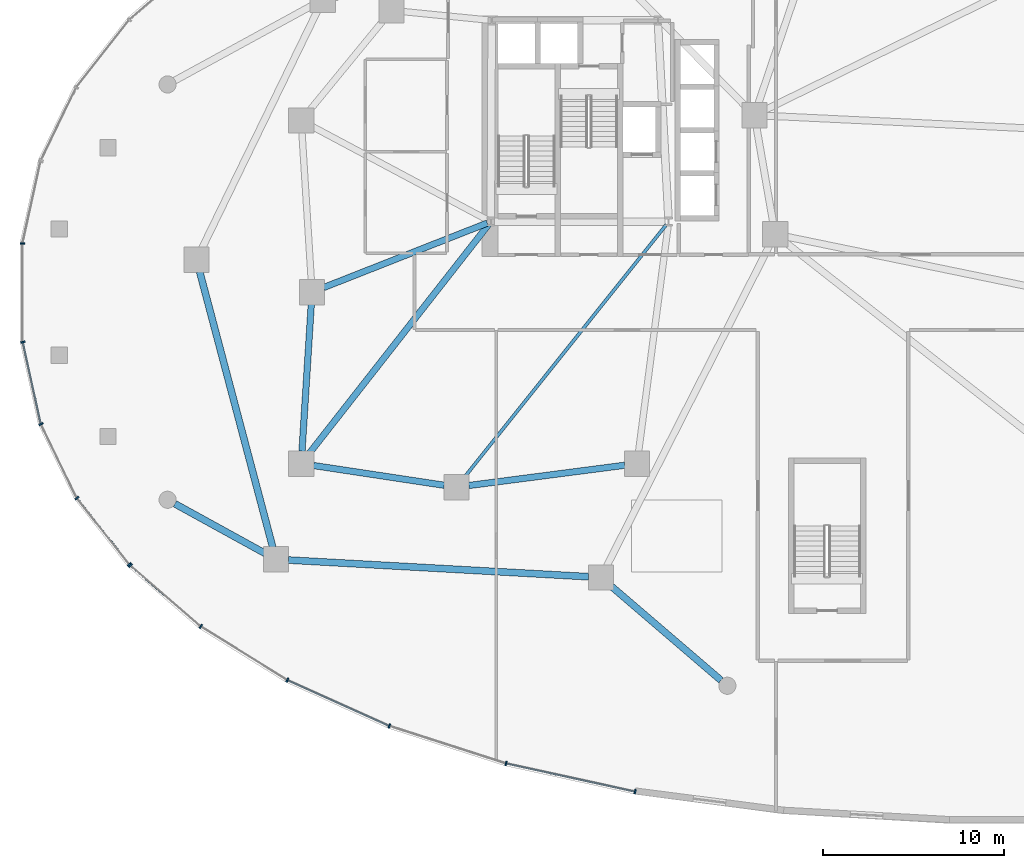
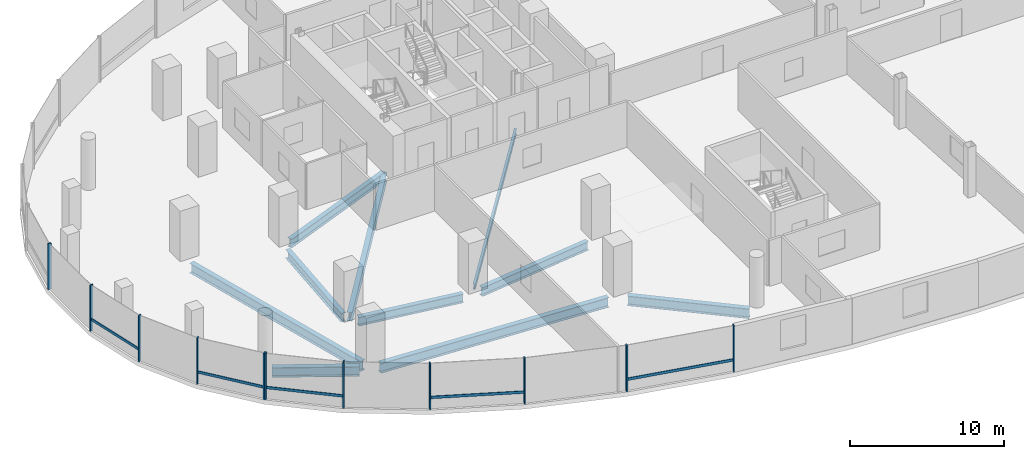
# One storey, part 3 of 19: 16 members, 10 beams, 2 elements without a shape of their own.
"""IFC4 building model written with IfcOpenShell, lengths in metres."""

from ifc_helpers import new_model, si_unit, direction, frame, origin, origin_2d, place, context, subcontext, project, spatial, rectangle, i_section, extrude, material, material_profile, profile_set, type_object, element, aggregate, save


model = new_model("IFC4")

# Units and contexts
model_context = context("Model", 3, precision=1e-05, world=origin(), true_north=direction((0.0, 1.0)))
body_context = subcontext(model_context, "Body", "Model", "MODEL_VIEW")
ifc_project = project(units=[si_unit("LENGTHUNIT", "METRE"), si_unit("AREAUNIT", "SQUARE_METRE"), si_unit("VOLUMEUNIT", "CUBIC_METRE"), si_unit("PLANEANGLEUNIT", "RADIAN"), si_unit("MASSUNIT", "GRAM", prefix="KILO"), si_unit("THERMODYNAMICTEMPERATUREUNIT", "KELVIN"), si_unit("POWERUNIT", "WATT")], contexts=[model_context])

# Site, building, storey
site_placement = place(None, origin())
site = spatial("IfcSite", under=ifc_project, at=site_placement, CompositionType="ELEMENT")
building_placement = place(site_placement, origin())
building = spatial("IfcBuilding", under=site, at=building_placement, Name="Cundina Bronze Exchange", CompositionType="ELEMENT")
storey_placement = place(building_placement, frame((0.0, 0.0, 16.0)))
storey = spatial("IfcBuildingStorey", under=building, at=storey_placement, Name="L03", CompositionType="ELEMENT", Elevation=16.0)

# Beams
ifc_material_1 = material(Name="Steel ASTM A992 Grade 50", Category="steel")
ifc_material_profile_1 = material_profile(ifc_material_1, i_section(OverallWidth=0.178955078125, OverallDepth=0.409912109375, WebThickness=0.0087890625, FlangeThickness=0.014404296875, FilletRadius=0.010986328125, at=origin_2d()), Name="W16X45", Category="steel")
ifc_profile_set_1 = profile_set([ifc_material_profile_1], Name="Steel ASTM A992 Grade 50")
beam_type_1 = type_object("IfcBeamType", Name="BM-JST-W16", PredefinedType="JOIST", material=ifc_profile_set_1)
beam_1_placement = place(storey_placement, frame((-21.577392578125, 3.740478515625, -0.554931640625), z_axis=(-0.624374458297, -0.781125172957, 0.0), x_axis=(0.781125172957, -0.624374458297, 0.0)))
element("IfcBeam", 1, at=beam_1_placement, inside=storey, type_object=beam_type_1, Name="L03 W Interior Core-to-Ring Joist 2", PredefinedType="JOIST", context=body_context, shape_type="SweptSolid", body=[
    extrude(i_section(OverallWidth=0.178955078125, OverallDepth=0.409912109375, WebThickness=0.0087890625, FlangeThickness=0.014404296875, FilletRadius=0.010986328125, at=origin_2d()), origin(), (0.0, 0.0, 1.0), 17.927001953125),
])
ifc_material_profile_2 = material_profile(ifc_material_1, i_section(OverallWidth=0.35498046875, OverallDepth=0.695068359375, WebThickness=0.015380859375, FlangeThickness=0.02490234375, FilletRadius=0.01806640625, at=origin_2d()), Name="W27X146", Category="steel")
ifc_profile_set_2 = profile_set([ifc_material_profile_2], Name="Steel ASTM A992 Grade 50")
beam_type_2 = type_object("IfcBeamType", Name="BM-RING-W27", PredefinedType="USERDEFINED", material=ifc_profile_set_2)
beam_2_placement = place(storey_placement, frame((-41.243408203125, -0.6865234375, -0.697509765625), z_axis=(-0.063020359641, -0.998012241544, 0.0), x_axis=(0.998012241544, -0.063020359641, 0.0)))
element("IfcBeam", 2, at=beam_2_placement, inside=storey, type_object=beam_type_2, Name="L03 W Inner Structural Ring Girder 04", ObjectType="GIRDER", PredefinedType="USERDEFINED", context=body_context, shape_type="SweptSolid", body=[
    extrude(i_section(OverallWidth=0.35498046875, OverallDepth=0.695068359375, WebThickness=0.015380859375, FlangeThickness=0.02490234375, FilletRadius=0.01806640625, at=origin_2d()), origin(), (0.0, 0.0, 1.0), 8.14306640625),
])
beam_3_placement = place(storey_placement, frame((-41.11962890625, -9.602783203125, -0.697509765625), z_axis=(0.988763496177, -0.149488289268, 0.0), x_axis=(0.149488289268, 0.988763496177, 0.0)))
element("IfcBeam", 3, at=beam_3_placement, inside=storey, type_object=beam_type_2, Name="L03 W Inner Structural Ring Girder 05", ObjectType="GIRDER", PredefinedType="USERDEFINED", context=body_context, shape_type="SweptSolid", body=[
    extrude(i_section(OverallWidth=0.35498046875, OverallDepth=0.695068359375, WebThickness=0.015380859375, FlangeThickness=0.02490234375, FilletRadius=0.01806640625, at=origin_2d()), origin(), (0.0, 0.0, 1.0), 7.321533203125),
])
beam_4_placement = place(storey_placement, frame((-32.517578125, -10.711181640625, -0.697509765625), z_axis=(0.991655975758, 0.128912473185, 0.0), x_axis=(-0.128912473185, 0.991655975758, 0.0)))
element("IfcBeam", 4, at=beam_4_placement, inside=storey, type_object=beam_type_2, Name="L03 W Inner Structural Ring Girder 06", ObjectType="GIRDER", PredefinedType="USERDEFINED", context=body_context, shape_type="SweptSolid", body=[
    extrude(i_section(OverallWidth=0.35498046875, OverallDepth=0.695068359375, WebThickness=0.015380859375, FlangeThickness=0.02490234375, FilletRadius=0.01806640625, at=origin_2d()), origin(), (0.0, 0.0, 1.0), 8.7080078125),
])
beam_5_placement = place(storey_placement, frame((-31.48974609375, 3.8251953125, -0.697509765625), z_axis=(-0.930410463214, -0.366519262715, 0.0), x_axis=(0.366519262715, -0.930410463214, 0.0)))
element("IfcBeam", 5, at=beam_5_placement, inside=storey, type_object=beam_type_2, Name="L03 W Core-to-Waist Tie Beam 1", ObjectType="GIRDER", PredefinedType="USERDEFINED", context=body_context, shape_type="SweptSolid", body=[
    extrude(i_section(OverallWidth=0.35498046875, OverallDepth=0.695068359375, WebThickness=0.015380859375, FlangeThickness=0.02490234375, FilletRadius=0.01806640625, at=origin_2d()), origin(), (0.0, 0.0, 1.0), 9.74853515625),
])
beam_6_placement = place(storey_placement, frame((-31.42578125, 3.739501953125, -0.697509765625), z_axis=(-0.616784362929, -0.787132167839, 0.0), x_axis=(0.787132167839, -0.616784362929, 0.0)))
element("IfcBeam", 6, at=beam_6_placement, inside=storey, type_object=beam_type_2, Name="L03 W Core-to-Waist Tie Beam 3", ObjectType="GIRDER", PredefinedType="USERDEFINED", context=body_context, shape_type="SweptSolid", body=[
    extrude(i_section(OverallWidth=0.35498046875, OverallDepth=0.695068359375, WebThickness=0.015380859375, FlangeThickness=0.02490234375, FilletRadius=0.01806640625, at=origin_2d()), origin(), (0.0, 0.0, 1.0), 16.132080078125),
])
ifc_material_profile_3 = material_profile(ifc_material_1, i_section(OverallWidth=0.381103515625, OverallDepth=0.77294921875, WebThickness=0.0166015625, FlangeThickness=0.027099609375, FilletRadius=0.01904296875, at=origin_2d()), Name="W30X173", Category="steel")
ifc_profile_set_3 = profile_set([ifc_material_profile_3], Name="Steel ASTM A992 Grade 50")
beam_type_3 = type_object("IfcBeamType", Name="BM-RING-W30", PredefinedType="USERDEFINED", material=ifc_profile_set_3)
beam_7_placement = place(storey_placement, frame((-48.794189453125, -11.72314453125, -0.736572265625), z_axis=(0.876211384386, -0.481926975663, 0.0), x_axis=(0.481926975663, 0.876211384386, 0.0)))
element("IfcBeam", 7, at=beam_7_placement, inside=storey, type_object=beam_type_3, Name="L03 Podium Colonnade Tie Beam 02", ObjectType="GIRDER", PredefinedType="USERDEFINED", context=body_context, shape_type="SweptSolid", body=[
    extrude(i_section(OverallWidth=0.381103515625, OverallDepth=0.77294921875, WebThickness=0.0166015625, FlangeThickness=0.027099609375, FilletRadius=0.01904296875, at=origin_2d()), origin(), (0.0, 0.0, 1.0), 5.696533203125),
])
beam_8_placement = place(storey_placement, frame((-18.551513671875, -21.498779296875, -0.736572265625), z_axis=(-0.759248058703, 0.650801340929, 0.0), x_axis=(-0.650801340929, -0.759248058703, 0.0)))
element("IfcBeam", 8, at=beam_8_placement, inside=storey, type_object=beam_type_3, Name="L03 Podium Colonnade Tie Beam 06", ObjectType="GIRDER", PredefinedType="USERDEFINED", context=body_context, shape_type="SweptSolid", body=[
    extrude(i_section(OverallWidth=0.381103515625, OverallDepth=0.77294921875, WebThickness=0.0166015625, FlangeThickness=0.027099609375, FilletRadius=0.01904296875, at=origin_2d()), origin(), (0.0, 0.0, 1.0), 8.068359375),
])
beam_9_placement = place(storey_placement, frame((-47.423583984375, 1.135009765625, -0.736572265625), z_axis=(0.256206036219, -0.966622194554, 0.0), x_axis=(0.966622194554, 0.256206036219, 0.0)))
element("IfcBeam", 9, at=beam_9_placement, inside=storey, type_object=beam_type_3, Name="L03 W Podium Ring Girder 08", ObjectType="GIRDER", PredefinedType="USERDEFINED", context=body_context, shape_type="SweptSolid", body=[
    extrude(i_section(OverallWidth=0.381103515625, OverallDepth=0.77294921875, WebThickness=0.0166015625, FlangeThickness=0.027099609375, FilletRadius=0.01904296875, at=origin_2d()), origin(), (0.0, 0.0, 1.0), 15.79736328125),
])
beam_10_placement = place(storey_placement, frame((-42.51318359375, -14.838134765625, -0.736572265625), z_axis=(0.998460668975, -0.055464335483, 0.0), x_axis=(0.055464335483, 0.998460668975, 0.0)))
element("IfcBeam", 10, at=beam_10_placement, inside=storey, type_object=beam_type_3, Name="L03 W Podium Ring Girder 10", ObjectType="GIRDER", PredefinedType="USERDEFINED", context=body_context, shape_type="SweptSolid", body=[
    extrude(i_section(OverallWidth=0.381103515625, OverallDepth=0.77294921875, WebThickness=0.0166015625, FlangeThickness=0.027099609375, FilletRadius=0.01904296875, at=origin_2d()), origin(), (0.0, 0.0, 1.0), 16.65185546875),
])

# Curtain wall, members
ifc_material_2 = material(Name="Anodised Bronze Aluminium 6063-T6", Category="aluminium")
curtain_wall_type = type_object("IfcCurtainWallType", Name="CWS-POD-CONC", PredefinedType="NOTDEFINED", material=ifc_material_2)
curtain_wall_1_placement = place(storey_placement, origin())
curtain_wall_1 = element("IfcCurtainWall", 11, at=curtain_wall_1_placement, inside=storey, type_object=curtain_wall_type, Name="L03 CW-01 Curtain Wall Run CWR-L03-04", PredefinedType="NOTDEFINED")
ifc_material_profile_4 = material_profile(ifc_material_2, rectangle(XDim=0.0849609375, YDim=0.25, at=origin_2d()), Name="AL85X250", Category="aluminium")
ifc_profile_set_4 = profile_set([ifc_material_profile_4], Name="Anodised Bronze Aluminium 6063-T6")
member_type_1 = type_object("IfcMemberType", Name="CWM-MUL-250", PredefinedType="MULLION", material=ifc_profile_set_4)
member_1_placement = place(storey_placement, frame((-57.22900390625, 2.680419921875, 0.0), z_axis=(0.0, 0.0, 1.0), x_axis=(0.0, -1.0, 0.0)))
member_1 = element("IfcMember", 12, at=member_1_placement, type_object=member_type_1, Name="CW-01 Mullion 2", PredefinedType="MULLION", context=body_context, shape_type="SweptSolid", body=[
    extrude(rectangle(XDim=0.0849609375, YDim=0.25, at=origin_2d()), origin(), (0.0, 0.0, 1.0), 3.64990234375),
])
member_2_placement = place(storey_placement, frame((-57.219482421875, -2.76708984375, 0.0), z_axis=(0.0, 0.0, 1.0), x_axis=(0.214564862428, -0.976709741843, 0.0)))
member_2 = element("IfcMember", 13, at=member_2_placement, type_object=member_type_1, Name="CW-01 Mullion 3", PredefinedType="MULLION", context=body_context, shape_type="SweptSolid", body=[
    extrude(rectangle(XDim=0.0849609375, YDim=0.25, at=origin_2d()), origin(), (0.0, 0.0, 1.0), 3.64990234375),
])
member_3_placement = place(storey_placement, frame((-56.211669921875, -7.311279296875, 0.0), z_axis=(0.0, 0.0, 1.0), x_axis=(0.435702445497, -0.900090761528, 0.0)))
member_3 = element("IfcMember", 14, at=member_3_placement, type_object=member_type_1, Name="CW-01 Mullion 4", PredefinedType="MULLION", context=body_context, shape_type="SweptSolid", body=[
    extrude(rectangle(XDim=0.0849609375, YDim=0.25, at=origin_2d()), origin(), (0.0, 0.0, 1.0), 3.64990234375),
])
member_4_placement = place(storey_placement, frame((-54.21728515625, -11.408935546875, 0.0), z_axis=(0.0, 0.0, 1.0), x_axis=(0.61950505541, -0.784992666412, 0.0)))
member_4 = element("IfcMember", 15, at=member_4_placement, type_object=member_type_1, Name="CW-01 Mullion 5", PredefinedType="MULLION", context=body_context, shape_type="SweptSolid", body=[
    extrude(rectangle(XDim=0.0849609375, YDim=0.25, at=origin_2d()), origin(), (0.0, 0.0, 1.0), 3.64990234375),
])
member_5_placement = place(storey_placement, frame((-51.320068359375, -15.08056640625, 0.0), z_axis=(0.0, 0.0, 1.0), x_axis=(0.61950505541, -0.784992666412, 0.0)))
member_5 = element("IfcMember", 16, at=member_5_placement, type_object=member_type_1, Name="CW-01 End Mullion", PredefinedType="MULLION", context=body_context, shape_type="SweptSolid", body=[
    extrude(rectangle(XDim=0.0849609375, YDim=0.25, at=origin_2d()), origin(), (0.0, 0.0, 1.0), 3.64990234375),
])

curtain_wall_2_placement = place(storey_placement, origin())
curtain_wall_2 = element("IfcCurtainWall", 17, at=curtain_wall_2_placement, inside=storey, type_object=curtain_wall_type, Name="L03 CW-01 Curtain Wall Run CWR-L03-05", PredefinedType="NOTDEFINED")
member_6_placement = place(storey_placement, frame((-51.257080078125, -15.146484375, 0.0), z_axis=(0.0, 0.0, 1.0), x_axis=(0.755510544084, -0.6551364879, 0.0)))
member_6 = element("IfcMember", 18, at=member_6_placement, type_object=member_type_1, Name="CW-01 Mullion 1", PredefinedType="MULLION", context=body_context, shape_type="SweptSolid", body=[
    extrude(rectangle(XDim=0.0849609375, YDim=0.25, at=origin_2d()), origin(), (0.0, 0.0, 1.0), 3.64990234375),
])
member_7_placement = place(storey_placement, frame((-47.35986328125, -18.515380859375, 0.0), z_axis=(0.0, 0.0, 1.0), x_axis=(0.849340400263, -0.527845511945, 0.0)))
member_7 = element("IfcMember", 19, at=member_7_placement, type_object=member_type_1, Name="CW-01 Mullion 2", PredefinedType="MULLION", context=body_context, shape_type="SweptSolid", body=[
    extrude(rectangle(XDim=0.0849609375, YDim=0.25, at=origin_2d()), origin(), (0.0, 0.0, 1.0), 3.64990234375),
])
member_8_placement = place(storey_placement, frame((-42.566162109375, -21.4873046875, 0.0), z_axis=(0.0, 0.0, 1.0), x_axis=(0.911618620107, -0.411037092578, 0.0)))
member_8 = element("IfcMember", 20, at=member_8_placement, type_object=member_type_1, Name="CW-01 Mullion 3", PredefinedType="MULLION", context=body_context, shape_type="SweptSolid", body=[
    extrude(rectangle(XDim=0.0849609375, YDim=0.25, at=origin_2d()), origin(), (0.0, 0.0, 1.0), 3.64990234375),
])
member_9_placement = place(storey_placement, frame((-36.91796875, -24.027099609375, 0.0), z_axis=(0.0, 0.0, 1.0), x_axis=(0.951862260753, -0.306526078098, 0.0)))
member_9 = element("IfcMember", 21, at=member_9_placement, type_object=member_type_1, Name="CW-01 Mullion 4", PredefinedType="MULLION", context=body_context, shape_type="SweptSolid", body=[
    extrude(rectangle(XDim=0.0849609375, YDim=0.25, at=origin_2d()), origin(), (0.0, 0.0, 1.0), 3.64990234375),
])
member_10_placement = place(storey_placement, frame((-30.456787109375, -26.10302734375, 0.0), z_axis=(0.0, 0.0, 1.0), x_axis=(0.976896613081, -0.213712440794, 0.0)))
member_10 = element("IfcMember", 22, at=member_10_placement, type_object=member_type_1, Name="CW-01 Mullion 5", PredefinedType="MULLION", context=body_context, shape_type="SweptSolid", body=[
    extrude(rectangle(XDim=0.0849609375, YDim=0.25, at=origin_2d()), origin(), (0.0, 0.0, 1.0), 3.64990234375),
])
member_11_placement = place(storey_placement, frame((-23.30810546875, -27.66650390625, 0.0), z_axis=(0.0, 0.0, 1.0), x_axis=(0.976896613081, -0.213712440794, 0.0)))
member_11 = element("IfcMember", 23, at=member_11_placement, type_object=member_type_1, Name="CW-01 End Mullion", PredefinedType="MULLION", context=body_context, shape_type="SweptSolid", body=[
    extrude(rectangle(XDim=0.0849609375, YDim=0.25, at=origin_2d()), origin(), (0.0, 0.0, 1.0), 3.64990234375),
])

# Member
ifc_material_profile_5 = material_profile(ifc_material_2, rectangle(XDim=0.080078125, YDim=0.2099609375, at=origin_2d()), Name="AL80X210", Category="aluminium")
ifc_profile_set_5 = profile_set([ifc_material_profile_5], Name="Anodised Bronze Aluminium 6063-T6")
member_type_2 = type_object("IfcMemberType", Name="CWM-TRN-210", PredefinedType="USERDEFINED", material=ifc_profile_set_5)
member_12_placement = place(storey_placement, frame((-57.209716796875, -2.812744140625, 0.919921875), z_axis=(0.214548972216, -0.97671323249, 0.0), x_axis=(0.97671323249, 0.214548972216, 0.0)))
member_12 = element("IfcMember", 24, at=member_12_placement, type_object=member_type_2, Name="CW-01 Spandrel Transom 3", ObjectType="TRANSOM", PredefinedType="USERDEFINED", context=body_context, shape_type="SweptSolid", body=[
    extrude(rectangle(XDim=0.080078125, YDim=0.2099609375, at=origin_2d()), origin(), (0.0, 0.0, 1.0), 4.571044921875),
])

member_13_placement = place(storey_placement, frame((-54.1884765625, -11.445556640625, 0.919921875), z_axis=(0.619471571466, -0.785019090306, 0.0), x_axis=(0.785019090306, 0.619471571466, 0.0)))
member_13 = element("IfcMember", 25, at=member_13_placement, type_object=member_type_2, Name="CW-01 Spandrel Transom 5", ObjectType="TRANSOM", PredefinedType="USERDEFINED", context=body_context, shape_type="SweptSolid", body=[
    extrude(rectangle(XDim=0.080078125, YDim=0.2099609375, at=origin_2d()), origin(), (0.0, 0.0, 1.0), 4.58349609375),
])

aggregate(curtain_wall_1, [member_1, member_2, member_12, member_3, member_4, member_5, member_13])

member_14_placement = place(storey_placement, frame((-51.2216796875, -15.177001953125, 0.919921875), z_axis=(0.755563201238, -0.655075758164, 0.0), x_axis=(0.655075758164, 0.755563201238, 0.0)))
member_14 = element("IfcMember", 26, at=member_14_placement, type_object=member_type_2, Name="CW-01 Spandrel Transom 1", ObjectType="TRANSOM", PredefinedType="USERDEFINED", context=body_context, shape_type="SweptSolid", body=[
    extrude(rectangle(XDim=0.080078125, YDim=0.2099609375, at=origin_2d()), origin(), (0.0, 0.0, 1.0), 5.055908203125),
])

member_15_placement = place(storey_placement, frame((-42.5234375, -21.506591796875, 0.919921875), z_axis=(0.911656553379, -0.410952951908, 0.0), x_axis=(0.410952951908, 0.911656553379, 0.0)))
member_15 = element("IfcMember", 27, at=member_15_placement, type_object=member_type_2, Name="CW-01 Spandrel Transom 3", ObjectType="TRANSOM", PredefinedType="USERDEFINED", context=body_context, shape_type="SweptSolid", body=[
    extrude(rectangle(XDim=0.080078125, YDim=0.2099609375, at=origin_2d()), origin(), (0.0, 0.0, 1.0), 6.090576171875),
])

member_16_placement = place(storey_placement, frame((-30.4111328125, -26.113037109375, 0.919921875), z_axis=(0.976909937501, -0.213651524713, 0.0), x_axis=(0.213651524713, 0.976909937501, 0.0)))
member_16 = element("IfcMember", 28, at=member_16_placement, type_object=member_type_2, Name="CW-01 Spandrel Transom 5", ObjectType="TRANSOM", PredefinedType="USERDEFINED", context=body_context, shape_type="SweptSolid", body=[
    extrude(rectangle(XDim=0.080078125, YDim=0.2099609375, at=origin_2d()), origin(), (0.0, 0.0, 1.0), 7.22412109375),
])

aggregate(curtain_wall_2, [member_6, member_14, member_7, member_8, member_15, member_9, member_10, member_11, member_16])

save(model, "model.ifc")
